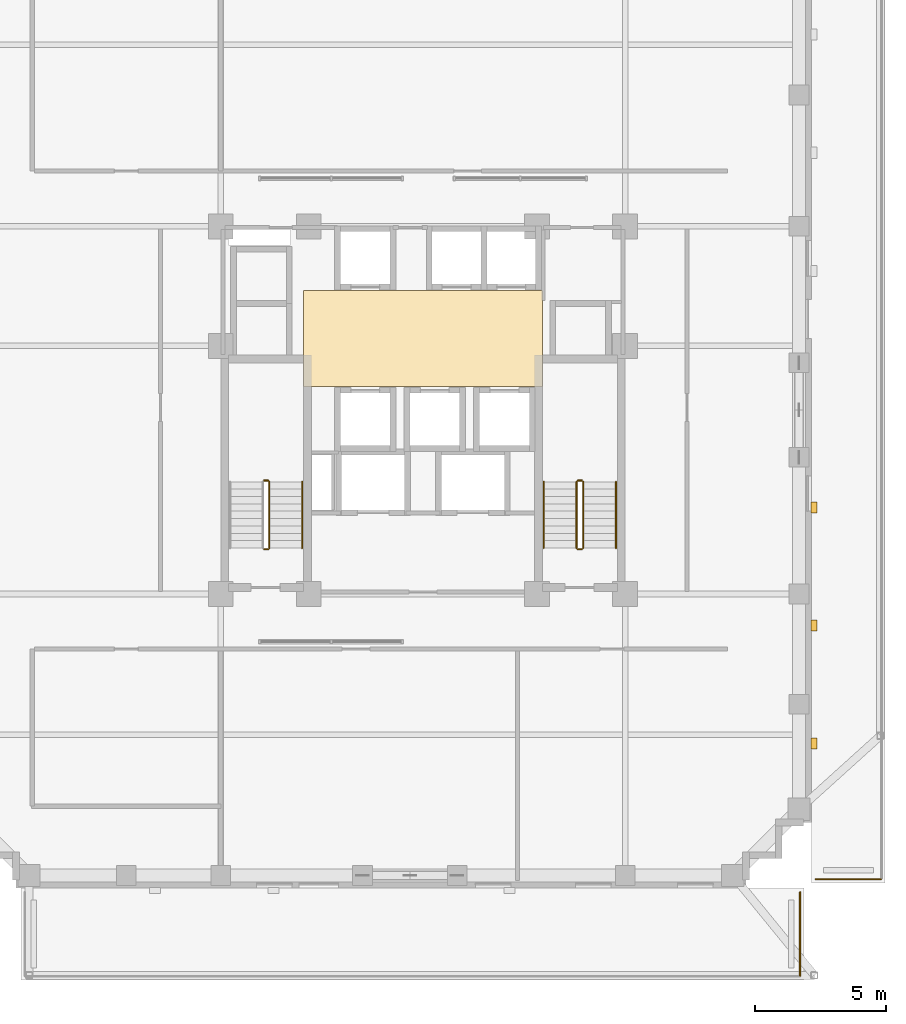
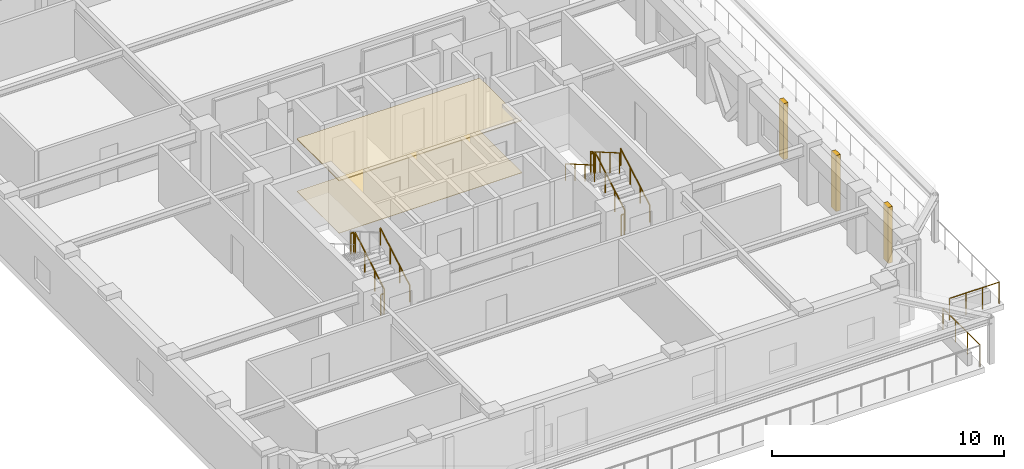
# One storey, part 14 of 15: 12 railings, 5 coverings.
"""IFC4 building model written with IfcOpenShell, lengths in metres."""

from ifc_helpers import new_model, si_unit, derived_unit, direction, frame, origin, origin_2d, place, context, subcontext, project, spatial, polyline, rectangle, circle, outline, extrude, material, layer, layer_set, type_object, element, save


model = new_model("IFC4")

# Units and contexts
model_context = context("Model", 3, precision=1e-05, world=origin(), true_north=direction((0.0, 1.0)))
body_context = subcontext(model_context, "Body", "Model", "MODEL_VIEW")
ifc_project = project(units=[si_unit("LENGTHUNIT", "METRE"), si_unit("AREAUNIT", "SQUARE_METRE"), si_unit("VOLUMEUNIT", "CUBIC_METRE"), si_unit("PLANEANGLEUNIT", "RADIAN"), si_unit("MASSUNIT", "GRAM", prefix="KILO"), derived_unit("THERMALTRANSMITTANCEUNIT", [(si_unit("MASSUNIT", "GRAM", prefix="KILO"), 1), (si_unit("TIMEUNIT", "SECOND"), -3), (si_unit("THERMODYNAMICTEMPERATUREUNIT", "KELVIN"), -1)])], contexts=[model_context])

# Site, building, storey
site_placement = place(None, origin())
site = spatial("IfcSite", under=ifc_project, at=site_placement, CompositionType="ELEMENT")
building_placement = place(site_placement, origin())
building = spatial("IfcBuilding", under=site, at=building_placement, Name="Korrvale Station Residences", CompositionType="ELEMENT")
storey_placement = place(building_placement, frame((0.0, 0.0, 124.39990234375)))
storey = spatial("IfcBuildingStorey", under=building, at=storey_placement, Name="L35", CompositionType="ELEMENT", Elevation=124.39990234375)

# Coverings
ifc_material_1 = material(Name="Perforated acoustic mineral-fibre suspended ceiling", Category="gypsum")
ifc_layer_1 = layer(ifc_material_1, 0.050048828125, Name="Perforated acoustic mineral-fibre suspended ceiling")
ifc_layer_set_1 = layer_set([ifc_layer_1], Name="Perforated acoustic mineral-fibre suspended ceiling")
covering_type_1 = type_object("IfcCoveringType", Name="COV-CLG-AC60", PredefinedType="CEILING", material=ifc_layer_set_1)
covering_1_placement = place(storey_placement, frame((0.0, 0.0, 2.739990234375)))
element("IfcCovering", 1, at=covering_1_placement, inside=storey, type_object=covering_type_1, Name="L35 Elevator Lobby Acoustic Ceiling", PredefinedType="CEILING", context=body_context, shape_type="SweptSolid", body=[
    extrude(outline(polyline([(20.949951171875, 22.89990234375), (30.050048828125, 22.89990234375), (30.050048828125, 26.550048828125), (20.949951171875, 26.550048828125), (20.949951171875, 22.89990234375)])), origin(), (0.0, 0.0, 1.0), 0.050048828125),
])
ifc_material_2 = material(Name="Polished quartz-terrazzo lobby flooring", Category="masonry")
ifc_layer_2 = layer(ifc_material_2, 0.02001953125, Name="Polished quartz-terrazzo lobby flooring")
ifc_layer_set_2 = layer_set([ifc_layer_2], Name="Polished quartz-terrazzo lobby flooring")
covering_type_2 = type_object("IfcCoveringType", Name="COV-FLR-TER20", PredefinedType="FLOORING", material=ifc_layer_set_2)
covering_2_placement = place(storey_placement, origin())
element("IfcCovering", 2, at=covering_2_placement, inside=storey, type_object=covering_type_2, Name="L35 Elevator Lobby Terrazzo Flooring", PredefinedType="FLOORING", context=body_context, shape_type="SweptSolid", body=[
    extrude(outline(polyline([(20.949951171875, 22.89990234375), (30.050048828125, 22.89990234375), (30.050048828125, 26.550048828125), (20.949951171875, 26.550048828125), (20.949951171875, 22.89990234375)])), origin(), (0.0, 0.0, 1.0), 0.02001953125),
])
ifc_material_3 = material(Name="Architectural precast concrete C45/55", Category="concrete")
ifc_layer_3 = layer(ifc_material_3, 0.219970703125, Name="Architectural precast concrete C45/55")
ifc_layer_set_3 = layer_set([ifc_layer_3], Name="Architectural precast concrete C45/55")
covering_type_3 = type_object("IfcCoveringType", Name="COV-PIER-400", PredefinedType="CLADDING", material=ifc_layer_set_3)
for number, where, z_axis, x_axis, name in (
    (3, (40.389892578125, 18.300048828125, 0.025146484375), (0.0, 0.0, 1.0), (0.0, 1.0, 0.0), "L35 Architectural Precast Facade Pier 10"),
    (4, (40.389892578125, 13.800048828125, 0.025146484375), (0.0, 0.0, 1.0), (0.0, 1.0, 0.0), "L35 Architectural Precast Facade Pier 11"),
    (5, (40.389892578125, 9.300048828125, 0.025146484375), (0.0, 0.0, 1.0), (0.0, 1.0, 0.0), "L35 Architectural Precast Facade Pier 12"),
):
    element("IfcCovering", number, at=place(storey_placement, frame(where, z_axis=z_axis, x_axis=x_axis)), inside=storey, type_object=covering_type_3, Name=name, PredefinedType="CLADDING", context=body_context, shape_type="SweptSolid", body=[
        extrude(rectangle(XDim=0.419921875, YDim=0.219970703125, at=origin_2d()), origin(), (0.0, 0.0, 1.0), 2.93994140625),
    ])

# Railings
ifc_material_4 = material(Name="Brushed stainless-steel continuous stair handrail", Category="steel")
railing_type_1 = type_object("IfcRailingType", Name="RLG-SHND-900", PredefinedType="HANDRAIL", material=ifc_material_4)
for number, where, name in (
    (6, (20.89990234375, 16.75, 0.16259765625), "L35 ST-1 stair handrail 1"),
    (7, (32.85009765625, 16.75, 0.16259765625), "L35 ST-2 stair handrail 1"),
):
    element("IfcRailing", number, at=place(storey_placement, frame(where)), inside=storey, type_object=railing_type_1, Name=name, PredefinedType="HANDRAIL", context=body_context, shape_type="SweptSolid", body=[
        extrude(circle(Radius=0.02392578125, at=origin_2d()), frame((0.0, 0.0, 0.8759765625), z_axis=(0.0, 0.864913338283, 0.50192122615), x_axis=(-1.0, 0.0, 0.0)), (0.0, 0.0, 1.0), 2.91357421875),
        extrude(circle(Radius=0.02099609375, at=origin_2d()), origin(), (0.0, 0.0, 1.0), 0.851806640625),
        extrude(circle(Radius=0.02099609375, at=origin_2d()), frame((0.0, 0.840087890625, 0.487548828125)), (0.0, 0.0, 1.0), 0.851806640625),
        extrude(circle(Radius=0.02099609375, at=origin_2d()), frame((0.0, 1.679931640625, 0.974853515625)), (0.0, 0.0, 1.0), 0.851806640625),
        extrude(circle(Radius=0.02099609375, at=origin_2d()), frame((0.0, 2.52001953125, 1.46240234375)), (0.0, 0.0, 1.0), 0.851806640625),
    ])
railing_1_placement = place(storey_placement, frame((30.10009765625, 19.27001953125, 1.78759765625)))
element("IfcRailing", 8, at=railing_1_placement, inside=storey, type_object=railing_type_1, Name="L35 ST-2 stair handrail 2", PredefinedType="HANDRAIL", context=body_context, shape_type="SweptSolid", body=[
    extrude(circle(Radius=0.02392578125, at=origin_2d()), frame((0.0, 0.0, 0.8759765625), z_axis=(0.0, -0.864913338283, 0.50192122615), x_axis=(1.0, 0.0, 0.0)), (0.0, 0.0, 1.0), 2.91357421875),
    extrude(circle(Radius=0.02099609375, at=origin_2d()), origin(), (0.0, 0.0, 1.0), 0.851806640625),
    extrude(circle(Radius=0.02099609375, at=origin_2d()), frame((0.0, -0.840087890625, 0.487548828125)), (0.0, 0.0, 1.0), 0.851806640625),
    extrude(circle(Radius=0.02099609375, at=origin_2d()), frame((0.0, -1.679931640625, 0.974853515625)), (0.0, 0.0, 1.0), 0.851806640625),
    extrude(circle(Radius=0.02099609375, at=origin_2d()), frame((0.0, -2.52001953125, 1.46240234375)), (0.0, 0.0, 1.0), 0.851806640625),
])
ifc_material_5 = material(Name="Galvanised painted tubular steel stair guard", Category="steel")
railing_type_2 = type_object("IfcRailingType", Name="RLG-STR-1100", PredefinedType="GUARDRAIL", material=ifc_material_5)
railing_2_placement = place(storey_placement, frame((19.64990234375, 16.75, 0.16259765625)))
element("IfcRailing", 9, at=railing_2_placement, inside=storey, type_object=railing_type_2, Name="L35 ST-1 stair guard 1", PredefinedType="GUARDRAIL", context=body_context, shape_type="SweptSolid", body=[
    extrude(circle(Radius=0.02392578125, at=origin_2d()), frame((0.0, 0.0, 1.076171875), z_axis=(0.0, 0.864913338283, 0.50192122615), x_axis=(-1.0, 0.0, 0.0)), (0.0, 0.0, 1.0), 2.91357421875),
    extrude(circle(Radius=0.02099609375, at=origin_2d()), origin(), (0.0, 0.0, 1.0), 1.052001953125),
    extrude(circle(Radius=0.02099609375, at=origin_2d()), frame((0.0, 0.840087890625, 0.487548828125)), (0.0, 0.0, 1.0), 1.052001953125),
    extrude(circle(Radius=0.02099609375, at=origin_2d()), frame((0.0, 1.679931640625, 0.974853515625)), (0.0, 0.0, 1.0), 1.052001953125),
    extrude(circle(Radius=0.02099609375, at=origin_2d()), frame((0.0, 2.52001953125, 1.46240234375)), (0.0, 0.0, 1.0), 1.052001953125),
])
for number, where, name in (
    (10, (19.60009765625, 19.320068359375, 1.625), "L35 ST-1 stair guard 2"),
    (11, (19.60009765625, 16.699951171875, 0.0), "L35 ST-1 stair guard 4"),
):
    element("IfcRailing", number, at=place(storey_placement, frame(where)), inside=storey, type_object=railing_type_2, Name=name, PredefinedType="GUARDRAIL", context=body_context, shape_type="SweptSolid", body=[
        extrude(circle(Radius=0.02392578125, at=origin_2d()), frame((0.0, 0.0, 1.076171875), z_axis=(-1.0, 0.0, 0.0), x_axis=(0.0, -1.0, 0.0)), (0.0, 0.0, 1.0), 0.150146484375),
        extrude(circle(Radius=0.02099609375, at=origin_2d()), origin(), (0.0, 0.0, 1.0), 1.052001953125),
        extrude(circle(Radius=0.02099609375, at=origin_2d()), frame((-0.150146484375, 0.0, 0.0)), (0.0, 0.0, 1.0), 1.052001953125),
    ])
railing_3_placement = place(storey_placement, frame((31.60009765625, 16.75, 0.16259765625)))
element("IfcRailing", 12, at=railing_3_placement, inside=storey, type_object=railing_type_2, Name="L35 ST-2 stair guard 1", PredefinedType="GUARDRAIL", context=body_context, shape_type="SweptSolid", body=[
    extrude(circle(Radius=0.02392578125, at=origin_2d()), frame((0.0, 0.0, 1.076171875), z_axis=(0.0, 0.864913338283, 0.50192122615), x_axis=(-1.0, 0.0, 0.0)), (0.0, 0.0, 1.0), 2.91357421875),
    extrude(circle(Radius=0.02099609375, at=origin_2d()), origin(), (0.0, 0.0, 1.0), 1.052001953125),
    extrude(circle(Radius=0.02099609375, at=origin_2d()), frame((0.0, 0.840087890625, 0.487548828125)), (0.0, 0.0, 1.0), 1.052001953125),
    extrude(circle(Radius=0.02099609375, at=origin_2d()), frame((0.0, 1.679931640625, 0.974853515625)), (0.0, 0.0, 1.0), 1.052001953125),
    extrude(circle(Radius=0.02099609375, at=origin_2d()), frame((0.0, 2.52001953125, 1.46240234375)), (0.0, 0.0, 1.0), 1.052001953125),
])
railing_4_placement = place(storey_placement, frame((31.550048828125, 19.320068359375, 1.625)))
element("IfcRailing", 13, at=railing_4_placement, inside=storey, type_object=railing_type_2, Name="L35 ST-2 stair guard 2", PredefinedType="GUARDRAIL", context=body_context, shape_type="SweptSolid", body=[
    extrude(circle(Radius=0.02392578125, at=origin_2d()), frame((0.0, 0.0, 1.076171875), z_axis=(-1.0, 0.0, 0.0), x_axis=(0.0, -1.0, 0.0)), (0.0, 0.0, 1.0), 0.150146484375),
    extrude(circle(Radius=0.02099609375, at=origin_2d()), origin(), (0.0, 0.0, 1.0), 1.052001953125),
    extrude(circle(Radius=0.02099609375, at=origin_2d()), frame((-0.150146484375, 0.0, 0.0)), (0.0, 0.0, 1.0), 1.052001953125),
])
railing_5_placement = place(storey_placement, frame((31.35009765625, 19.27001953125, 1.78759765625)))
element("IfcRailing", 14, at=railing_5_placement, inside=storey, type_object=railing_type_2, Name="L35 ST-2 stair guard 3", PredefinedType="GUARDRAIL", context=body_context, shape_type="SweptSolid", body=[
    extrude(circle(Radius=0.02392578125, at=origin_2d()), frame((0.0, 0.0, 1.076171875), z_axis=(0.0, -0.864913338283, 0.50192122615), x_axis=(1.0, 0.0, 0.0)), (0.0, 0.0, 1.0), 2.91357421875),
    extrude(circle(Radius=0.02099609375, at=origin_2d()), origin(), (0.0, 0.0, 1.0), 1.052001953125),
    extrude(circle(Radius=0.02099609375, at=origin_2d()), frame((0.0, -0.840087890625, 0.487548828125)), (0.0, 0.0, 1.0), 1.052001953125),
    extrude(circle(Radius=0.02099609375, at=origin_2d()), frame((0.0, -1.679931640625, 0.974853515625)), (0.0, 0.0, 1.0), 1.052001953125),
    extrude(circle(Radius=0.02099609375, at=origin_2d()), frame((0.0, -2.52001953125, 1.46240234375)), (0.0, 0.0, 1.0), 1.052001953125),
])
railing_6_placement = place(storey_placement, frame((31.550048828125, 16.699951171875, 0.0)))
element("IfcRailing", 15, at=railing_6_placement, inside=storey, type_object=railing_type_2, Name="L35 ST-2 stair guard 4", PredefinedType="GUARDRAIL", context=body_context, shape_type="SweptSolid", body=[
    extrude(circle(Radius=0.02392578125, at=origin_2d()), frame((0.0, 0.0, 1.076171875), z_axis=(-1.0, 0.0, 0.0), x_axis=(0.0, -1.0, 0.0)), (0.0, 0.0, 1.0), 0.150146484375),
    extrude(circle(Radius=0.02099609375, at=origin_2d()), origin(), (0.0, 0.0, 1.0), 1.052001953125),
    extrude(circle(Radius=0.02099609375, at=origin_2d()), frame((-0.150146484375, 0.0, 0.0)), (0.0, 0.0, 1.0), 1.052001953125),
])
ifc_material_6 = material(Name="Laminated safety glass and stainless steel balustrade", Category="steel")
railing_type_3 = type_object("IfcRailingType", Name="RLG-TER-1150", PredefinedType="GUARDRAIL", material=ifc_material_6)
railing_7_placement = place(storey_placement, frame((39.860107421875, 0.4599609375, 0.0)))
element("IfcRailing", 16, at=railing_7_placement, inside=storey, type_object=railing_type_3, Name="L35 Setback Terrace Perimeter Guard TER-L35-S-E", PredefinedType="GUARDRAIL", context=body_context, shape_type="SweptSolid", body=[
    extrude(circle(Radius=0.02392578125, at=origin_2d()), frame((0.0, 0.0, 1.1259765625), z_axis=(0.0, 1.0, 0.0), x_axis=(-1.0, 0.0, 0.0)), (0.0, 0.0, 1.0), 3.179931640625),
    extrude(circle(Radius=0.02099609375, at=origin_2d()), origin(), (0.0, 0.0, 1.0), 1.101806640625),
    extrude(circle(Radius=0.02099609375, at=origin_2d()), frame((0.0, 1.06005859375, 0.0)), (0.0, 0.0, 1.0), 1.101806640625),
    extrude(circle(Radius=0.02099609375, at=origin_2d()), frame((0.0, 2.119873046875, 0.0)), (0.0, 0.0, 1.0), 1.101806640625),
    extrude(circle(Radius=0.02099609375, at=origin_2d()), frame((0.0, 3.179931640625, 0.0)), (0.0, 0.0, 1.0), 1.101806640625),
])
railing_8_placement = place(storey_placement, frame((40.4599609375, 4.139892578125, 0.0)))
element("IfcRailing", 17, at=railing_8_placement, inside=storey, type_object=railing_type_3, Name="L35 Setback Terrace Perimeter Guard TER-L35-E-S", PredefinedType="GUARDRAIL", context=body_context, shape_type="SweptSolid", body=[
    extrude(circle(Radius=0.02392578125, at=origin_2d()), frame((0.0, 0.0, 1.1259765625), z_axis=(1.0, 0.0, 0.0), x_axis=(0.0, 1.0, 0.0)), (0.0, 0.0, 1.0), 2.47998046875),
    extrude(circle(Radius=0.02099609375, at=origin_2d()), origin(), (0.0, 0.0, 1.0), 1.101806640625),
    extrude(circle(Radius=0.02099609375, at=origin_2d()), frame((0.82666015625, 0.0, 0.0)), (0.0, 0.0, 1.0), 1.101806640625),
    extrude(circle(Radius=0.02099609375, at=origin_2d()), frame((1.6533203125, 0.0, 0.0)), (0.0, 0.0, 1.0), 1.101806640625),
    extrude(circle(Radius=0.02099609375, at=origin_2d()), frame((2.47998046875, 0.0, 0.0)), (0.0, 0.0, 1.0), 1.101806640625),
])

save(model, "model.ifc")
